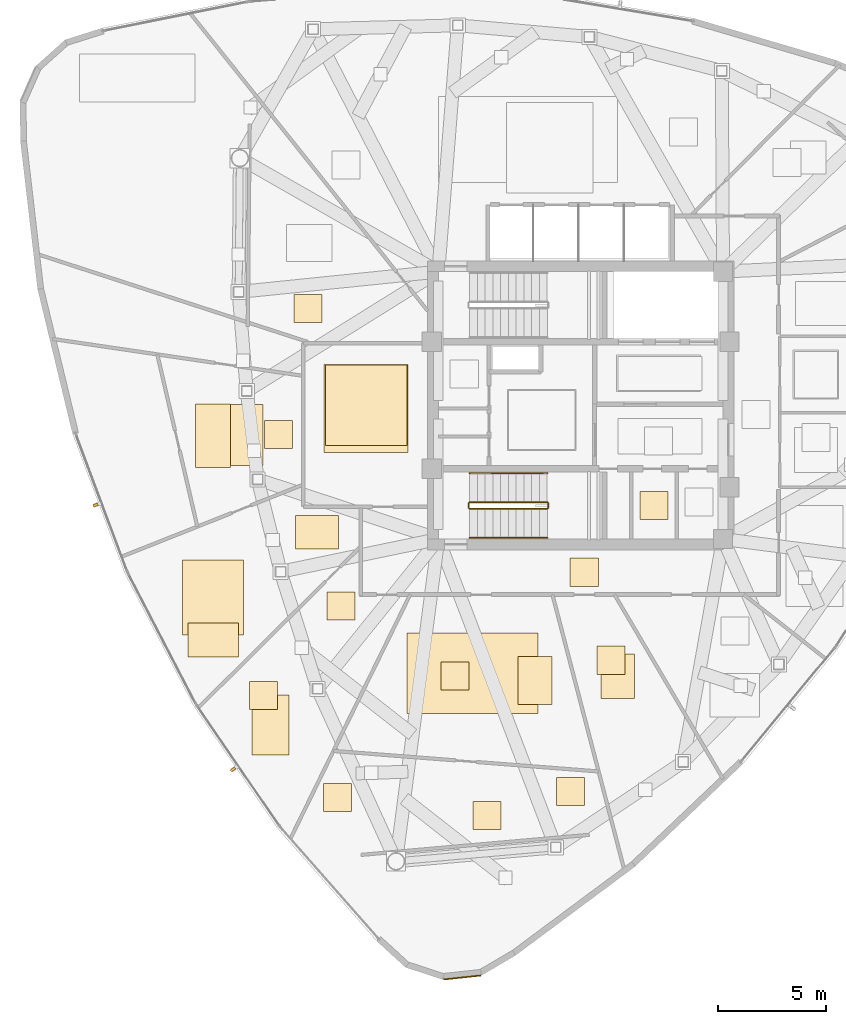
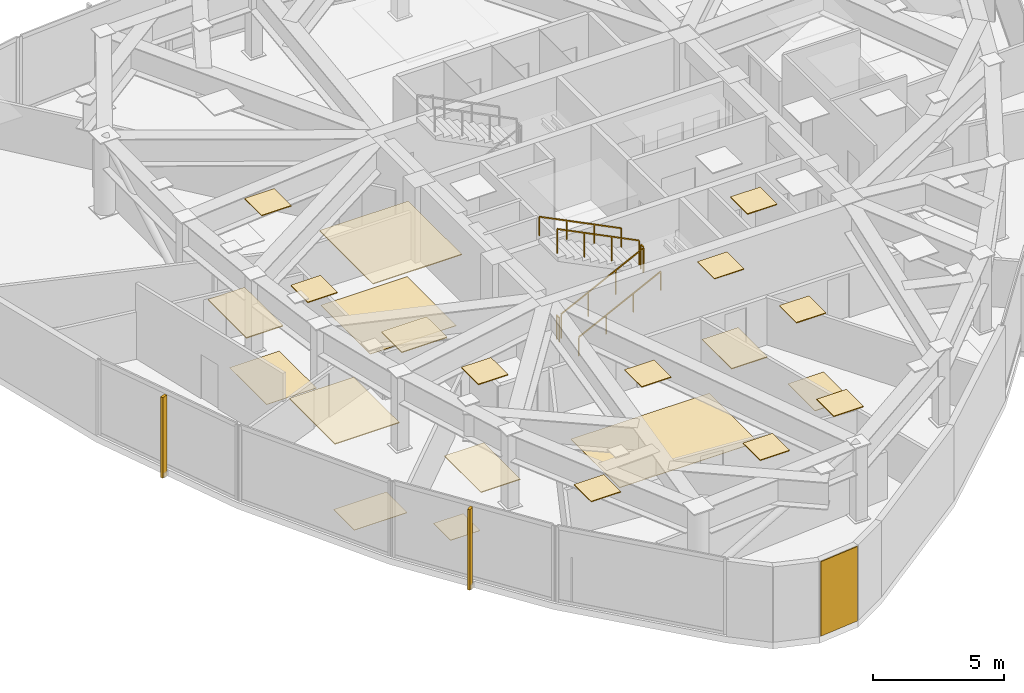
# One storey, part 11 of 13: 23 coverings, 6 railings, 2 shading devices.
"""IFC4 building model written with IfcOpenShell, lengths in metres."""

from ifc_helpers import new_model, si_unit, direction, frame, origin, origin_2d, place, context, subcontext, project, spatial, polyline, rectangle, outline, extrude, source, transform, mapped, material, layer, layer_set, type_object, type_shapes, element, save


model = new_model("IFC4")

# Units and contexts
model_context = context("Model", 3, precision=1e-05, world=origin(), true_north=direction((0.0, 1.0)))
body_context = subcontext(model_context, "Body", "Model", "MODEL_VIEW")
ifc_project = project(units=[si_unit("LENGTHUNIT", "METRE"), si_unit("AREAUNIT", "SQUARE_METRE"), si_unit("VOLUMEUNIT", "CUBIC_METRE"), si_unit("PLANEANGLEUNIT", "RADIAN"), si_unit("MASSUNIT", "GRAM", prefix="KILO")], contexts=[model_context])

# Site, building, storey
site_placement = place(None, origin())
site = spatial("IfcSite", under=ifc_project, at=site_placement, CompositionType="ELEMENT")
building_placement = place(site_placement, origin())
building = spatial("IfcBuilding", under=site, at=building_placement, Name="Tavelor Broadcast Tower", CompositionType="ELEMENT")
storey_placement = place(building_placement, frame((0.0, 0.0, 269.550048828125)))
storey = spatial("IfcBuildingStorey", under=building, at=storey_placement, Name="L64", CompositionType="ELEMENT", Elevation=269.550048828125)

# Covering
ifc_material_1 = material(Name="Copper-Bronze Anodized Aluminium", Category="aluminium")
ifc_layer_1 = layer(ifc_material_1, 0.050048828125)
ifc_layer_set_1 = layer_set([ifc_layer_1], Name="Copper-Bronze Anodized Aluminium")
covering_type_1 = type_object("IfcCoveringType", Name="Champagne-Bronze Corner Pier Metal Cladding 50 mm", PredefinedType="CLADDING", material=ifc_layer_set_1)
covering_1_placement = place(storey_placement, frame((44.50439453125, 18.468017578125, 0.02001953125), z_axis=(0.0, 0.0, 1.0), x_axis=(0.994244832633, 0.107131754314, 0.0)))
element("IfcCovering", 1, at=covering_1_placement, inside=storey, type_object=covering_type_1, Name="L64 Champagne-Bronze Corner Cladding 13", PredefinedType="CLADDING", context=body_context, shape_type="SweptSolid", body=[
    extrude(rectangle(XDim=1.716796875, YDim=0.050048828125, at=origin_2d()), origin(), (0.0, 0.0, 1.0), 3.4599609375),
])

# Railings
ifc_material_2 = material(Name="Steel S355", Category="steel")
railing_type_1 = type_object("IfcRailingType", Name="Continuous Brushed Stainless Handrail 900 mm", PredefinedType="HANDRAIL", material=ifc_material_2)
railing_1_placement = place(storey_placement, frame((44.85009765625, 38.85009765625, 0.179443359375)))
element("IfcRailing", 2, at=railing_1_placement, inside=storey, type_object=railing_type_1, Name="L64 ST2 stair handrail 1", PredefinedType="HANDRAIL", context=body_context, shape_type="SweptSolid", body=[
    extrude(rectangle(XDim=0.048095703125, YDim=0.048095703125, at=origin_2d()), frame((0.0, 0.0, 0.8759765625), z_axis=(0.894875846893, 0.0, 0.446315156192), x_axis=(0.0, 1.0, 0.0)), (0.0, 0.0, 1.0), 4.022705078125),
    extrude(rectangle(XDim=0.0419921875, YDim=0.0419921875, at=origin_2d()), origin(), (0.0, 0.0, 1.0), 0.851806640625),
    extrude(rectangle(XDim=0.0419921875, YDim=0.0419921875, at=origin_2d()), frame((1.199951171875, 0.0, 0.598388671875)), (0.0, 0.0, 1.0), 0.851806640625),
    extrude(rectangle(XDim=0.0419921875, YDim=0.0419921875, at=origin_2d()), frame((2.39990234375, 0.0, 1.197021484375)), (0.0, 0.0, 1.0), 0.851806640625),
    extrude(rectangle(XDim=0.0419921875, YDim=0.0419921875, at=origin_2d()), frame((3.599853515625, 0.0, 1.79541015625)), (0.0, 0.0, 1.0), 0.851806640625),
])
railing_2_placement = place(storey_placement, frame((48.449951171875, 41.85009765625, 2.154541015625)))
element("IfcRailing", 3, at=railing_2_placement, inside=storey, type_object=railing_type_1, Name="L64 ST2 stair handrail 2", PredefinedType="HANDRAIL", context=body_context, shape_type="SweptSolid", body=[
    extrude(rectangle(XDim=0.048095703125, YDim=0.048095703125, at=origin_2d()), frame((0.0, 0.0, 0.8759765625), z_axis=(-0.894875846893, 0.0, 0.446315156192), x_axis=(0.0, -1.0, 0.0)), (0.0, 0.0, 1.0), 4.022705078125),
    extrude(rectangle(XDim=0.0419921875, YDim=0.0419921875, at=origin_2d()), origin(), (0.0, 0.0, 1.0), 0.851806640625),
    extrude(rectangle(XDim=0.0419921875, YDim=0.0419921875, at=origin_2d()), frame((-1.199951171875, 0.0, 0.598388671875)), (0.0, 0.0, 1.0), 0.851806640625),
    extrude(rectangle(XDim=0.0419921875, YDim=0.0419921875, at=origin_2d()), frame((-2.39990234375, 0.0, 1.197021484375)), (0.0, 0.0, 1.0), 0.851806640625),
    extrude(rectangle(XDim=0.0419921875, YDim=0.0419921875, at=origin_2d()), frame((-3.599853515625, 0.0, 1.79541015625)), (0.0, 0.0, 1.0), 0.851806640625),
])

# Coverings
ifc_material_3 = material(Name="Architectural Anodized Aluminium", Category="aluminium")
ifc_layer_2 = layer(ifc_material_3, 0.034912109375)
ifc_layer_set_2 = layer_set([ifc_layer_2], Name="Architectural Anodized Aluminium")
covering_type_2 = type_object("IfcCoveringType", Name="Demountable Metal Tile Corridor Ceiling 35 mm", PredefinedType="CEILING", material=ifc_layer_set_2)
covering_2_placement = place(storey_placement, frame((0.0, 0.0, 3.46484375)))
element("IfcCovering", 4, at=covering_2_placement, inside=storey, type_object=covering_type_2, Name="L64 Suspended Acoustic Ceiling 2486", PredefinedType="CEILING", context=body_context, shape_type="SweptSolid", body=[
    extrude(outline(polyline([(49.515380859375, 36.610107421875), (50.8154296875, 36.610107421875), (50.8154296875, 37.909912109375), (49.515380859375, 37.909912109375), (49.515380859375, 36.610107421875)])), origin(), (0.0, 0.0, 1.0), 0.03515625),
])
ifc_material_4 = material(Name="Acoustic Nylon Carpet Tile")
ifc_layer_3 = layer(ifc_material_4, 0.02001953125)
ifc_layer_set_3 = layer_set([ifc_layer_3], Name="Acoustic Nylon Carpet Tile")
covering_type_3 = type_object("IfcCoveringType", Name="Heavy-Duty Acoustic Broadcast Carpet Tile 20 mm", PredefinedType="FLOORING", material=ifc_layer_set_3)
covering_3_placement = place(storey_placement, origin())
element("IfcCovering", 5, at=covering_3_placement, inside=storey, type_object=covering_type_3, Name="L64 Broadcast Floor Finish 0952", PredefinedType="FLOORING", context=body_context, shape_type="SweptSolid", body=[
    extrude(outline(polyline([(38.15771484375, 43.12890625), (41.942138671875, 43.12890625), (41.942138671875, 46.87060546875), (38.15771484375, 46.87060546875), (38.15771484375, 43.12890625)])), origin(), (0.0, 0.0, 1.0), 0.02001953125),
])
covering_4_placement = place(storey_placement, origin())
element("IfcCovering", 6, at=covering_4_placement, inside=storey, type_object=covering_type_3, Name="L64 Broadcast Floor Finish 0958", PredefinedType="FLOORING", context=body_context, shape_type="SweptSolid", body=[
    extrude(outline(polyline([(50.9326171875, 31.408447265625), (52.499267578125, 31.408447265625), (52.499267578125, 33.478271484375), (50.9326171875, 33.478271484375), (50.9326171875, 31.408447265625)])), origin(), (0.0, 0.0, 1.0), 0.02001953125),
])
covering_5_placement = place(storey_placement, origin())
element("IfcCovering", 7, at=covering_5_placement, inside=storey, type_object=covering_type_3, Name="L64 Broadcast Floor Finish 0959", PredefinedType="FLOORING", context=body_context, shape_type="SweptSolid", body=[
    extrude(outline(polyline([(34.6328125, 30.903564453125), (35.9326171875, 30.903564453125), (35.9326171875, 32.20361328125), (34.6328125, 32.20361328125), (34.6328125, 30.903564453125)])), origin(), (0.0, 0.0, 1.0), 0.02001953125),
])
covering_6_placement = place(storey_placement, origin())
element("IfcCovering", 8, at=covering_6_placement, inside=storey, type_object=covering_type_3, Name="L64 Broadcast Floor Finish 0960", PredefinedType="FLOORING", context=body_context, shape_type="SweptSolid", body=[
    extrude(outline(polyline([(31.7998046875, 33.32080078125), (34.123046875, 33.32080078125), (34.123046875, 34.903564453125), (31.7998046875, 34.903564453125), (31.7998046875, 33.32080078125)])), origin(), (0.0, 0.0, 1.0), 0.02001953125),
])
covering_7_placement = place(storey_placement, origin())
element("IfcCovering", 9, at=covering_7_placement, inside=storey, type_object=covering_type_3, Name="L64 Broadcast Floor Finish 0965", PredefinedType="FLOORING", context=body_context, shape_type="SweptSolid", body=[
    extrude(outline(polyline([(41.947265625, 30.714111328125), (48.02490234375, 30.714111328125), (48.02490234375, 34.432373046875), (41.947265625, 34.432373046875), (41.947265625, 30.714111328125)])), origin(), (0.0, 0.0, 1.0), 0.02001953125),
])
covering_8_placement = place(storey_placement, origin())
element("IfcCovering", 10, at=covering_8_placement, inside=storey, type_object=covering_type_3, Name="L64 Broadcast Floor Finish 0966", PredefinedType="FLOORING", context=body_context, shape_type="SweptSolid", body=[
    extrude(outline(polyline([(33.076171875, 42.200439453125), (35.265869140625, 42.200439453125), (35.265869140625, 45.028076171875), (33.076171875, 45.028076171875), (33.076171875, 42.200439453125)])), origin(), (0.0, 0.0, 1.0), 0.02001953125),
])

# Railings
railing_type_2 = type_object("IfcRailingType", Name="Stairwell Steel Safety Guardrail 1150 mm", PredefinedType="GUARDRAIL", material=ifc_material_2)
railing_3_placement = place(storey_placement, frame((44.85009765625, 40.199951171875, 0.179443359375)))
element("IfcRailing", 11, at=railing_3_placement, inside=storey, type_object=railing_type_2, Name="L64 ST2 stair guard 1", PredefinedType="GUARDRAIL", context=body_context, shape_type="SweptSolid", body=[
    extrude(rectangle(XDim=0.048095703125, YDim=0.048095703125, at=origin_2d()), frame((0.0, 0.0, 1.1259765625), z_axis=(0.894875846893, 0.0, 0.446315156192), x_axis=(0.0, 1.0, 0.0)), (0.0, 0.0, 1.0), 4.022705078125),
    extrude(rectangle(XDim=0.0419921875, YDim=0.0419921875, at=origin_2d()), origin(), (0.0, 0.0, 1.0), 1.101806640625),
    extrude(rectangle(XDim=0.0419921875, YDim=0.0419921875, at=origin_2d()), frame((1.199951171875, 0.0, 0.598388671875)), (0.0, 0.0, 1.0), 1.101806640625),
    extrude(rectangle(XDim=0.0419921875, YDim=0.0419921875, at=origin_2d()), frame((2.39990234375, 0.0, 1.197021484375)), (0.0, 0.0, 1.0), 1.101806640625),
    extrude(rectangle(XDim=0.0419921875, YDim=0.0419921875, at=origin_2d()), frame((3.599853515625, 0.0, 1.79541015625)), (0.0, 0.0, 1.0), 1.101806640625),
])
railing_4_placement = place(storey_placement, frame((48.5, 40.25, 1.974853515625)))
element("IfcRailing", 12, at=railing_4_placement, inside=storey, type_object=railing_type_2, Name="L64 ST2 stair guard 2", PredefinedType="GUARDRAIL", context=body_context, shape_type="SweptSolid", body=[
    extrude(rectangle(XDim=0.048095703125, YDim=0.048095703125, at=origin_2d()), frame((0.0, 0.0, 1.1259765625), z_axis=(0.0, 1.0, 0.0), x_axis=(-1.0, 0.0, 0.0)), (0.0, 0.0, 1.0), 0.199951171875),
    extrude(rectangle(XDim=0.0419921875, YDim=0.0419921875, at=origin_2d()), origin(), (0.0, 0.0, 1.0), 1.101806640625),
    extrude(rectangle(XDim=0.0419921875, YDim=0.0419921875, at=origin_2d()), frame((0.0, 0.199951171875, 0.0)), (0.0, 0.0, 1.0), 1.101806640625),
])
railing_5_placement = place(storey_placement, frame((48.449951171875, 40.5, 2.154541015625)))
element("IfcRailing", 13, at=railing_5_placement, inside=storey, type_object=railing_type_2, Name="L64 ST2 stair guard 3", PredefinedType="GUARDRAIL", context=body_context, shape_type="SweptSolid", body=[
    extrude(rectangle(XDim=0.048095703125, YDim=0.048095703125, at=origin_2d()), frame((0.0, 0.0, 1.1259765625), z_axis=(-0.894875846893, 0.0, 0.446315156192), x_axis=(0.0, -1.0, 0.0)), (0.0, 0.0, 1.0), 4.022705078125),
    extrude(rectangle(XDim=0.0419921875, YDim=0.0419921875, at=origin_2d()), origin(), (0.0, 0.0, 1.0), 1.101806640625),
    extrude(rectangle(XDim=0.0419921875, YDim=0.0419921875, at=origin_2d()), frame((-1.199951171875, 0.0, 0.598388671875)), (0.0, 0.0, 1.0), 1.101806640625),
    extrude(rectangle(XDim=0.0419921875, YDim=0.0419921875, at=origin_2d()), frame((-2.39990234375, 0.0, 1.197021484375)), (0.0, 0.0, 1.0), 1.101806640625),
    extrude(rectangle(XDim=0.0419921875, YDim=0.0419921875, at=origin_2d()), frame((-3.599853515625, 0.0, 1.79541015625)), (0.0, 0.0, 1.0), 1.101806640625),
])
railing_6_placement = place(storey_placement, frame((44.800048828125, 40.25, 0.0)))
element("IfcRailing", 14, at=railing_6_placement, inside=storey, type_object=railing_type_2, Name="L64 ST2 stair guard 4", PredefinedType="GUARDRAIL", context=body_context, shape_type="SweptSolid", body=[
    extrude(rectangle(XDim=0.048095703125, YDim=0.048095703125, at=origin_2d()), frame((0.0, 0.0, 1.1259765625), z_axis=(0.0, 1.0, 0.0), x_axis=(-1.0, 0.0, 0.0)), (0.0, 0.0, 1.0), 0.199951171875),
    extrude(rectangle(XDim=0.0419921875, YDim=0.0419921875, at=origin_2d()), origin(), (0.0, 0.0, 1.0), 1.101806640625),
    extrude(rectangle(XDim=0.0419921875, YDim=0.0419921875, at=origin_2d()), frame((0.0, 0.199951171875, 0.0)), (0.0, 0.0, 1.0), 1.101806640625),
])

# Coverings
ifc_material_5 = material(Name="Acoustic Mineral Fibre Tile")
ifc_layer_4 = layer(ifc_material_5, 0.0400390625)
ifc_layer_set_4 = layer_set([ifc_layer_4], Name="Acoustic Mineral Fibre Tile")
covering_type_4 = type_object("IfcCoveringType", Name="Suspended Acoustic Mineral-Fibre Office Ceiling 40 mm", PredefinedType="CEILING", material=ifc_layer_set_4)
covering_9_placement = place(storey_placement, frame((0.0, 0.0, 3.4599609375)))
element("IfcCovering", 15, at=covering_9_placement, inside=storey, type_object=covering_type_4, Name="L64 Suspended Acoustic Ceiling 2482", PredefinedType="CEILING", context=body_context, shape_type="SweptSolid", body=[
    extrude(outline(polyline([(52.75, 39.699951171875), (54.050048828125, 39.699951171875), (54.050048828125, 41.0), (52.75, 41.0), (52.75, 39.699951171875)])), origin(), (0.0, 0.0, 1.0), 0.0400390625),
])
covering_10_placement = place(storey_placement, frame((0.0, 0.0, 3.4599609375)))
element("IfcCovering", 16, at=covering_10_placement, inside=storey, type_object=covering_type_4, Name="L64 Suspended Acoustic Ceiling 2487", PredefinedType="CEILING", context=body_context, shape_type="SweptSolid", body=[
    extrude(outline(polyline([(38.10009765625, 42.81689453125), (41.999755859375, 42.81689453125), (41.999755859375, 46.88671875), (38.10009765625, 46.88671875), (38.10009765625, 42.81689453125)])), origin(), (0.0, 0.0, 1.0), 0.0400390625),
])
covering_11_placement = place(storey_placement, frame((0.0, 0.0, 3.4599609375)))
element("IfcCovering", 17, at=covering_11_placement, inside=storey, type_object=covering_type_4, Name="L64 Suspended Acoustic Ceiling 2491", PredefinedType="CEILING", context=body_context, shape_type="SweptSolid", body=[
    extrude(outline(polyline([(50.75830078125, 32.52880859375), (52.058349609375, 32.52880859375), (52.058349609375, 33.828857421875), (50.75830078125, 33.828857421875), (50.75830078125, 32.52880859375)])), origin(), (0.0, 0.0, 1.0), 0.0400390625),
])
covering_12_placement = place(storey_placement, frame((0.0, 0.0, 3.4599609375)))
element("IfcCovering", 18, at=covering_12_placement, inside=storey, type_object=covering_type_4, Name="L64 Suspended Acoustic Ceiling 2492", PredefinedType="CEILING", context=body_context, shape_type="SweptSolid", body=[
    extrude(outline(polyline([(38.06884765625, 26.16162109375), (39.368896484375, 26.16162109375), (39.368896484375, 27.461669921875), (38.06884765625, 27.461669921875), (38.06884765625, 26.16162109375)])), origin(), (0.0, 0.0, 1.0), 0.0400390625),
])
covering_13_placement = place(storey_placement, frame((0.0, 0.0, 3.4599609375)))
element("IfcCovering", 19, at=covering_13_placement, inside=storey, type_object=covering_type_4, Name="L64 Suspended Acoustic Ceiling 2493", PredefinedType="CEILING", context=body_context, shape_type="SweptSolid", body=[
    extrude(outline(polyline([(45.00146484375, 25.32470703125), (46.301513671875, 25.32470703125), (46.301513671875, 26.624755859375), (45.00146484375, 26.624755859375), (45.00146484375, 25.32470703125)])), origin(), (0.0, 0.0, 1.0), 0.0400390625),
])
covering_14_placement = place(storey_placement, frame((0.0, 0.0, 3.4599609375)))
element("IfcCovering", 20, at=covering_14_placement, inside=storey, type_object=covering_type_4, Name="L64 Suspended Acoustic Ceiling 2494", PredefinedType="CEILING", context=body_context, shape_type="SweptSolid", body=[
    extrude(outline(polyline([(48.885986328125, 26.4443359375), (50.185791015625, 26.4443359375), (50.185791015625, 27.744384765625), (48.885986328125, 27.744384765625), (48.885986328125, 26.4443359375)])), origin(), (0.0, 0.0, 1.0), 0.0400390625),
])
covering_15_placement = place(storey_placement, frame((0.0, 0.0, 3.4599609375)))
element("IfcCovering", 21, at=covering_15_placement, inside=storey, type_object=covering_type_4, Name="L64 Suspended Acoustic Ceiling 2495", PredefinedType="CEILING", context=body_context, shape_type="SweptSolid", body=[
    extrude(outline(polyline([(38.236083984375, 35.03369140625), (39.5361328125, 35.03369140625), (39.5361328125, 36.33349609375), (38.236083984375, 36.33349609375), (38.236083984375, 35.03369140625)])), origin(), (0.0, 0.0, 1.0), 0.0400390625),
])
covering_16_placement = place(storey_placement, frame((0.0, 0.0, 3.4599609375)))
element("IfcCovering", 22, at=covering_16_placement, inside=storey, type_object=covering_type_4, Name="L64 Suspended Acoustic Ceiling 2496", PredefinedType="CEILING", context=body_context, shape_type="SweptSolid", body=[
    extrude(outline(polyline([(34.748291015625, 28.791015625), (36.480224609375, 28.791015625), (36.480224609375, 31.575439453125), (34.748291015625, 31.575439453125), (34.748291015625, 28.791015625)])), origin(), (0.0, 0.0, 1.0), 0.0400390625),
])
covering_17_placement = place(storey_placement, frame((0.0, 0.0, 3.4599609375)))
element("IfcCovering", 23, at=covering_17_placement, inside=storey, type_object=covering_type_4, Name="L64 Suspended Acoustic Ceiling 2497", PredefinedType="CEILING", context=body_context, shape_type="SweptSolid", body=[
    extrude(outline(polyline([(31.54296875, 34.345458984375), (34.36962890625, 34.345458984375), (34.36962890625, 37.8173828125), (31.54296875, 37.8173828125), (31.54296875, 34.345458984375)])), origin(), (0.0, 0.0, 1.0), 0.0400390625),
])
covering_18_placement = place(storey_placement, frame((0.0, 0.0, 3.4599609375)))
element("IfcCovering", 24, at=covering_18_placement, inside=storey, type_object=covering_type_4, Name="L64 Suspended Acoustic Ceiling 2498", PredefinedType="CEILING", context=body_context, shape_type="SweptSolid", body=[
    extrude(outline(polyline([(36.78076171875, 38.331787109375), (38.77099609375, 38.331787109375), (38.77099609375, 39.89697265625), (36.78076171875, 39.89697265625), (36.78076171875, 38.331787109375)])), origin(), (0.0, 0.0, 1.0), 0.0400390625),
])
covering_19_placement = place(storey_placement, frame((0.0, 0.0, 3.4599609375)))
element("IfcCovering", 25, at=covering_19_placement, inside=storey, type_object=covering_type_4, Name="L64 Suspended Acoustic Ceiling 2500", PredefinedType="CEILING", context=body_context, shape_type="SweptSolid", body=[
    extrude(outline(polyline([(36.7001953125, 48.84912109375), (38.000244140625, 48.84912109375), (38.000244140625, 50.149169921875), (36.7001953125, 50.149169921875), (36.7001953125, 48.84912109375)])), origin(), (0.0, 0.0, 1.0), 0.0400390625),
])
covering_20_placement = place(storey_placement, frame((0.0, 0.0, 3.4599609375)))
element("IfcCovering", 26, at=covering_20_placement, inside=storey, type_object=covering_type_4, Name="L64 Suspended Acoustic Ceiling 2508", PredefinedType="CEILING", context=body_context, shape_type="SweptSolid", body=[
    extrude(outline(polyline([(43.532958984375, 31.7900390625), (44.8330078125, 31.7900390625), (44.8330078125, 33.090087890625), (43.532958984375, 33.090087890625), (43.532958984375, 31.7900390625)])), origin(), (0.0, 0.0, 1.0), 0.0400390625),
])
covering_21_placement = place(storey_placement, frame((0.0, 0.0, 3.4599609375)))
element("IfcCovering", 27, at=covering_21_placement, inside=storey, type_object=covering_type_4, Name="L64 Suspended Acoustic Ceiling 2509", PredefinedType="CEILING", context=body_context, shape_type="SweptSolid", body=[
    extrude(outline(polyline([(47.095703125, 31.116455078125), (48.67529296875, 31.116455078125), (48.67529296875, 33.35791015625), (47.095703125, 33.35791015625), (47.095703125, 31.116455078125)])), origin(), (0.0, 0.0, 1.0), 0.0400390625),
])
covering_22_placement = place(storey_placement, frame((0.0, 0.0, 3.4599609375)))
element("IfcCovering", 28, at=covering_22_placement, inside=storey, type_object=covering_type_4, Name="L64 Suspended Acoustic Ceiling 2510", PredefinedType="CEILING", context=body_context, shape_type="SweptSolid", body=[
    extrude(outline(polyline([(32.141845703125, 42.1162109375), (33.75439453125, 42.1162109375), (33.75439453125, 45.050537109375), (32.141845703125, 45.050537109375), (32.141845703125, 42.1162109375)])), origin(), (0.0, 0.0, 1.0), 0.0400390625),
])
covering_23_placement = place(storey_placement, frame((0.0, 0.0, 3.4599609375)))
element("IfcCovering", 29, at=covering_23_placement, inside=storey, type_object=covering_type_4, Name="L64 Suspended Acoustic Ceiling 2511", PredefinedType="CEILING", context=body_context, shape_type="SweptSolid", body=[
    extrude(outline(polyline([(35.342041015625, 42.989013671875), (36.64208984375, 42.989013671875), (36.64208984375, 44.2890625), (35.342041015625, 44.2890625), (35.342041015625, 42.989013671875)])), origin(), (0.0, 0.0, 1.0), 0.0400390625),
])

# Shading devices
ifc_material_6 = material(Name="Kiln-Fired Glazed Terracotta", Category="masonry")
shading_device_type = type_object("IfcShadingDeviceType", Name="Extruded Terracotta Baguette Sun-Screen 110x240", PredefinedType="JALOUSIE", material=ifc_material_6)
shared_shape = source(origin(), body_context, "Body", "SweptSolid", [
    extrude(rectangle(XDim=0.110107421875, YDim=0.239990234375, at=origin_2d()), origin(), (0.0, 0.0, 1.0), 3.739990234375),
])
type_shapes(shading_device_type, [shared_shape])
for number, where, z_axis, x_axis, name in (
    (30, (27.50048828125, 40.3740234375, -0.26025390625), (0.0, 0.0, 1.0), (0.350697773643, -0.936488692704, 0.0), "L64 Terracotta Baguette Fin 655"),
    (31, (33.876220703125, 28.11376953125, -0.26025390625), (0.0, 0.0, 1.0), (0.565398954378, -0.824817569156, 0.0), "L64 Terracotta Baguette Fin 656"),
):
    element("IfcShadingDevice", number, at=place(storey_placement, frame(where, z_axis=z_axis, x_axis=x_axis)), inside=storey, type_object=shading_device_type, Name=name, PredefinedType="JALOUSIE", context=body_context, shape_type="MappedRepresentation", body=[
        mapped(shared_shape, transform((0.0, 0.0, 0.0), scale=1.0)),
    ])

save(model, "model.ifc")
